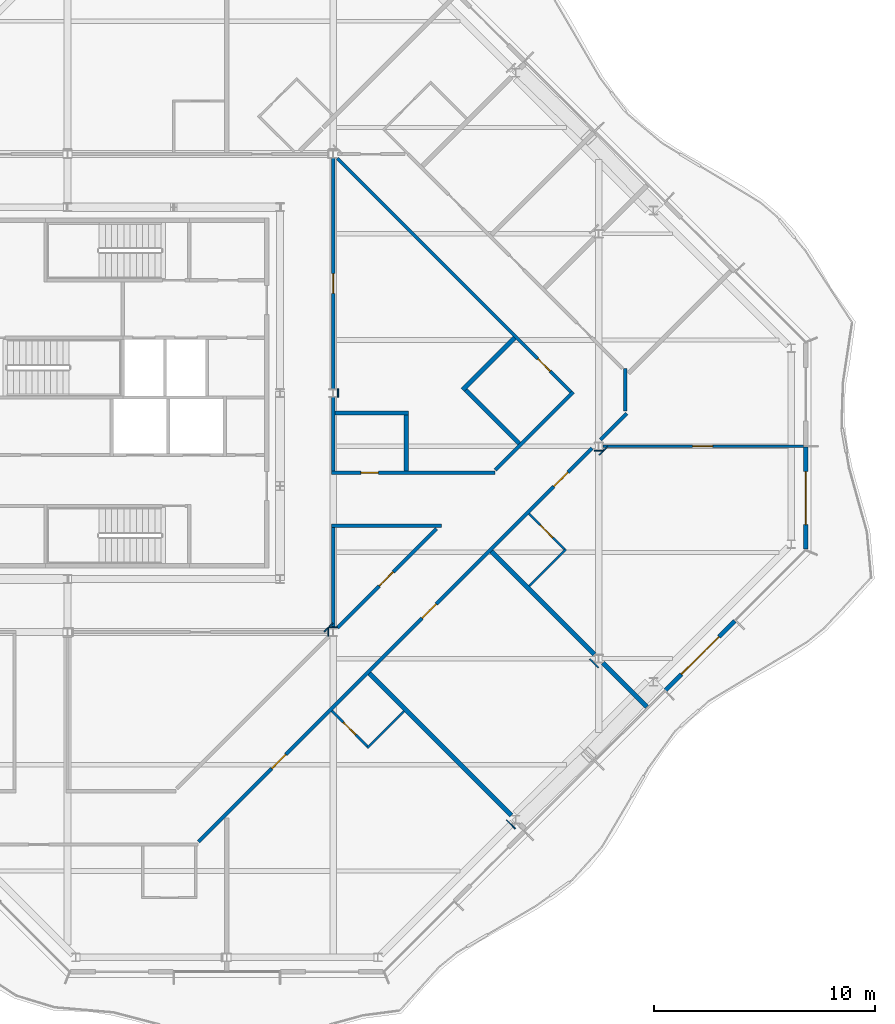
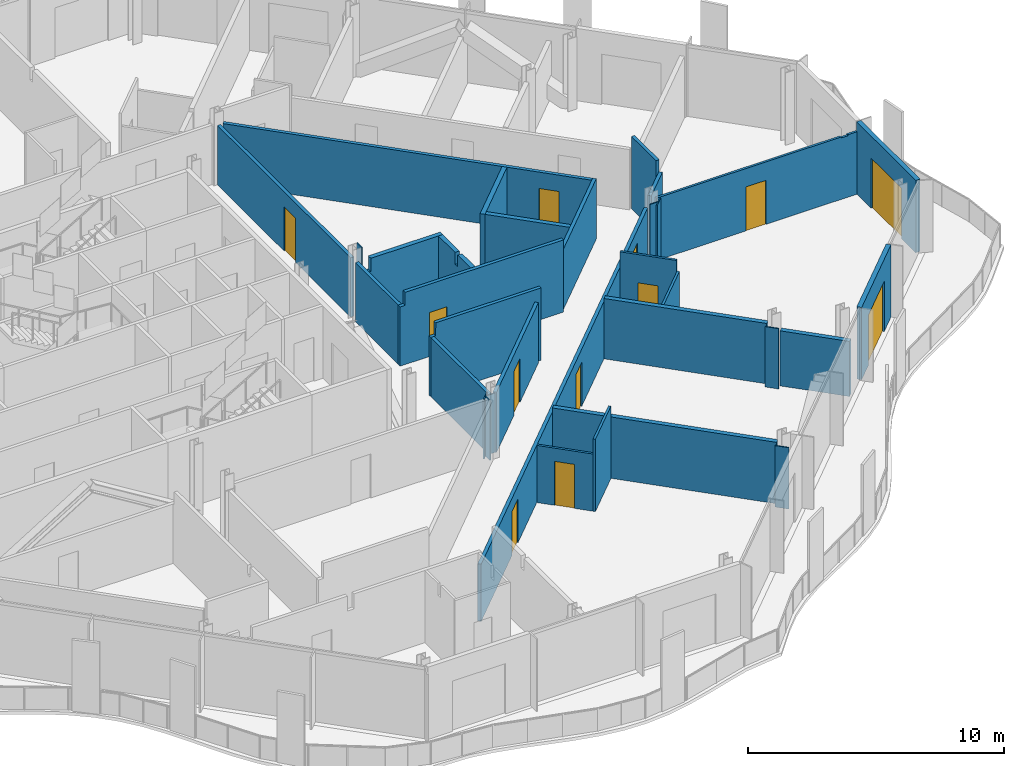
# One storey, part 9 of 17: 33 walls, 12 doors, 12 openings.
"""IFC4 building model written with IfcOpenShell, lengths in metres."""

from ifc_helpers import new_model, si_unit, direction, frame, frame_2d, origin, place, context, subcontext, project, spatial, polyline, rectangle, outline, extrude, material, layer, layer_set, type_object, element, fill, save


model = new_model("IFC4")

# Units and contexts
model_context = context("Model", 3, precision=1e-05, world=origin(), true_north=direction((0.0, 1.0)))
body_context = subcontext(model_context, "Body", "Model", "MODEL_VIEW")
ifc_project = project(units=[si_unit("LENGTHUNIT", "METRE"), si_unit("AREAUNIT", "SQUARE_METRE"), si_unit("VOLUMEUNIT", "CUBIC_METRE"), si_unit("PLANEANGLEUNIT", "RADIAN"), si_unit("MASSUNIT", "GRAM", prefix="KILO")], contexts=[model_context])

# Site, building, storey
site_placement = place(None, origin())
site = spatial("IfcSite", under=ifc_project, at=site_placement, CompositionType="ELEMENT")
building_placement = place(site_placement, origin())
building = spatial("IfcBuilding", under=site, at=building_placement, Name="Cairn Pilgrim Tower", CompositionType="ELEMENT")
storey_placement = place(building_placement, frame((0.0, 0.0, 274.199951171875)))
storey = spatial("IfcBuildingStorey", under=building, at=storey_placement, Name="L70", CompositionType="ELEMENT", Elevation=274.199951171875)

# Wall, opening, door
ifc_material_1 = material(Name="Bronze anodised aluminium insulated sandwich panel with mineral wool fill", Category="aluminium")
ifc_layer_1 = layer(ifc_material_1, 0.199951171875)
ifc_layer_set_1 = layer_set([ifc_layer_1], Name="BRONZE INFILL FRAME WALL 200")
wall_type_1 = type_object("IfcWallType", Name="BRONZE INFILL FRAME WALL 200", PredefinedType="NOTDEFINED", material=ifc_layer_set_1)
wall_1_placement = place(storey_placement, frame((34.219970703125, -11.0263671875, 0.0), z_axis=(0.0, 0.0, 1.0), x_axis=(0.707134329907, 0.707079231393, 0.0)))
wall_1 = element("IfcWall", 1, at=wall_1_placement, inside=storey, type_object=wall_type_1, Name="Bronze infill frame wall IW-SE5", PredefinedType="NOTDEFINED", context=body_context, shape_type="SweptSolid", body=[
    extrude(rectangle(XDim=4.430908203125, YDim=0.199951171875, at=frame_2d((2.21533203125, 0.0))), origin(), (0.0, 0.0, 1.0), 3.449951171875),
])
opening_1_placement = place(wall_1_placement, frame((1.01513671875, 0.0, 0.0)))
opening_1 = element("IfcOpeningElement", 2, at=opening_1_placement, cuts=wall_1, Name="Opening 7003B", PredefinedType="OPENING", context=body_context, shape_type="SweptSolid", body=[
    extrude(rectangle(XDim=2.39990234375, YDim=2.39990234375, at=frame_2d((1.199951171875, 1.199951171875))), frame((0.0, 0.10986328125, 0.0), z_axis=(0.0, -1.0, 0.0), x_axis=(1.0, 0.0, 0.0)), (0.0, 0.0, 1.0), 0.219970703125),
])
ifc_material_2 = material(Name="Bronze anodised aluminium frame with tinted low-E glass", Category="aluminium")
door_type_1 = type_object("IfcDoorType", Name="BALCONY SLIDING DOOR 2400x2400", OperationType="DOUBLE_DOOR_SLIDING", PredefinedType="DOOR", material=ifc_material_2)
door_1_placement = place(opening_1_placement, origin())
door_1 = element("IfcDoor", 3, at=door_1_placement, inside=storey, type_object=door_type_1, Name="Balcony sliding door 7003B", OperationType="SINGLE_SWING_LEFT", OverallHeight=2.39990234375, OverallWidth=2.39990234375, PredefinedType="DOOR", context=body_context, shape_type="SweptSolid", body=[
    extrude(rectangle(XDim=2.39990234375, YDim=2.39990234375, at=frame_2d((1.199951171875, 1.199951171875))), frame((0.0, 0.02490234375, 0.0), z_axis=(0.0, -1.0, 0.0), x_axis=(1.0, 0.0, 0.0)), (0.0, 0.0, 1.0), 0.050048828125),
])
fill(opening_1, door_1)

wall_2_placement = place(storey_placement, frame((40.550048828125, -4.656494140625, 0.0), z_axis=(0.0, 0.0, 1.0), x_axis=(0.0, 1.0, 0.0)))
wall_2 = element("IfcWall", 4, at=wall_2_placement, inside=storey, type_object=wall_type_1, Name="Bronze infill frame wall IW-E1", PredefinedType="NOTDEFINED", context=body_context, shape_type="SweptSolid", body=[
    extrude(rectangle(XDim=4.62646484375, YDim=0.199951171875, at=frame_2d((2.313232421875, 0.0))), origin(), (0.0, 0.0, 1.0), 3.449951171875),
])
opening_2_placement = place(wall_2_placement, frame((1.1083984375, 0.0, 0.0)))
opening_2 = element("IfcOpeningElement", 5, at=opening_2_placement, cuts=wall_2, Name="Opening 7003B2", PredefinedType="OPENING", context=body_context, shape_type="SweptSolid", body=[
    extrude(rectangle(XDim=2.39990234375, YDim=2.39990234375, at=frame_2d((1.199951171875, 1.199951171875))), frame((0.0, 0.10986328125, 0.0), z_axis=(0.0, -1.0, 0.0), x_axis=(1.0, 0.0, 0.0)), (0.0, 0.0, 1.0), 0.219970703125),
])
door_2_placement = place(opening_2_placement, origin())
door_2 = element("IfcDoor", 6, at=door_2_placement, inside=storey, type_object=door_type_1, Name="Balcony sliding door 7003B2", OperationType="SINGLE_SWING_LEFT", OverallHeight=2.39990234375, OverallWidth=2.39990234375, PredefinedType="DOOR", context=body_context, shape_type="SweptSolid", body=[
    extrude(rectangle(XDim=2.39990234375, YDim=2.39990234375, at=frame_2d((1.199951171875, 1.199951171875))), frame((0.0, 0.02490234375, 0.0), z_axis=(0.0, -1.0, 0.0), x_axis=(1.0, 0.0, 0.0)), (0.0, 0.0, 1.0), 0.050048828125),
])
fill(opening_2, door_2)

ifc_material_3 = material(Name="Gypsum partition")
ifc_layer_2 = layer(ifc_material_3, 0.10009765625)
ifc_layer_set_2 = layer_set([ifc_layer_2], Name="PARTITION 100 DRYWALL")
wall_type_2 = type_object("IfcWallType", Name="PARTITION 100 DRYWALL", PredefinedType="PARTITIONING", material=ifc_layer_set_2)
wall_3_placement = place(storey_placement, frame((20.74951171875, -13.567626953125, 0.0), z_axis=(0.0, 0.0, 1.0), x_axis=(-0.707053116953, 0.707160441348, 0.0)))
wall_3 = element("IfcWall", 7, at=wall_3_placement, inside=storey, type_object=wall_type_2, Name="PARTITION W016", PredefinedType="PARTITIONING", context=body_context, shape_type="SweptSolid", body=[
    extrude(rectangle(XDim=2.27490234375, YDim=0.10009765625, at=frame_2d((1.137451171875, 0.0))), origin(), (0.0, 0.0, 1.0), 2.72998046875),
])
opening_3_placement = place(wall_3_placement, frame((0.75, 0.0, 0.0)))
opening_3 = element("IfcOpeningElement", 8, at=opening_3_placement, cuts=wall_3, Name="Opening 7001A", PredefinedType="OPENING", context=body_context, shape_type="SweptSolid", body=[
    extrude(rectangle(XDim=0.800048828125, YDim=2.10009765625, at=frame_2d((0.39990234375, 1.050048828125))), frame((0.0, 0.06005859375, 0.0), z_axis=(0.0, -1.0, 0.0), x_axis=(1.0, 0.0, 0.0)), (0.0, 0.0, 1.0), 0.1201171875),
])
ifc_material_4 = material(Name="Timber door leaf", Category="wood")
door_type_2 = type_object("IfcDoorType", Name="WC DOOR 800x2100", OperationType="NOTDEFINED", PredefinedType="DOOR", material=ifc_material_4)
door_3_placement = place(opening_3_placement, origin())
door_3 = element("IfcDoor", 9, at=door_3_placement, inside=storey, type_object=door_type_2, Name="DOOR 7001A", OperationType="SINGLE_SWING_LEFT", OverallHeight=2.10009765625, OverallWidth=0.800048828125, PredefinedType="DOOR", context=body_context, shape_type="SweptSolid", body=[
    extrude(rectangle(XDim=0.800048828125, YDim=2.10009765625, at=frame_2d((0.39990234375, 1.050048828125))), frame((0.0, 0.02490234375, 0.0), z_axis=(0.0, -1.0, 0.0), x_axis=(1.0, 0.0, 0.0)), (0.0, 0.0, 1.0), 0.050048828125),
])
fill(opening_3, door_3)

# Walls
wall_4_placement = place(storey_placement, frame((20.74951171875, -13.638427734375, 0.0), z_axis=(0.0, 0.0, 1.0), x_axis=(0.707158722772, 0.707054835785, 0.0)))
element("IfcWall", 10, at=wall_4_placement, inside=storey, type_object=wall_type_2, Name="PARTITION W017", PredefinedType="PARTITIONING", context=body_context, shape_type="SweptSolid", body=[
    extrude(rectangle(XDim=2.35009765625, YDim=0.10009765625, at=frame_2d((1.175048828125, 0.0))), origin(), (0.0, 0.0, 1.0), 3.449951171875),
])
wall_5_placement = place(storey_placement, frame((28.064697265625, -6.3232421875, 0.0), z_axis=(0.0, 0.0, 1.0), x_axis=(0.707106781187, 0.707106781187, 0.0)))
element("IfcWall", 11, at=wall_5_placement, inside=storey, type_object=wall_type_2, Name="PARTITION W027", PredefinedType="PARTITIONING", context=body_context, shape_type="SweptSolid", body=[
    extrude(rectangle(XDim=2.349853515625, YDim=0.10009765625, at=frame_2d((1.1748046875, 0.0))), origin(), (0.0, 0.0, 1.0), 2.880126953125),
])

# Wall, opening, door
wall_6_placement = place(storey_placement, frame((29.655517578125, -4.66162109375, 0.0), z_axis=(0.0, 0.0, 1.0), x_axis=(-0.707053116953, 0.707160441348, 0.0)))
wall_6 = element("IfcWall", 12, at=wall_6_placement, inside=storey, type_object=wall_type_2, Name="PARTITION W028", PredefinedType="PARTITIONING", context=body_context, shape_type="SweptSolid", body=[
    extrude(rectangle(XDim=2.27490234375, YDim=0.10009765625, at=frame_2d((1.137451171875, 0.0))), origin(), (0.0, 0.0, 1.0), 3.449951171875),
])
opening_4_placement = place(wall_6_placement, frame((0.75, 0.0, 0.0)))
opening_4 = element("IfcOpeningElement", 13, at=opening_4_placement, cuts=wall_6, Name="Opening 7003A", PredefinedType="OPENING", context=body_context, shape_type="SweptSolid", body=[
    extrude(rectangle(XDim=0.800048828125, YDim=2.10009765625, at=frame_2d((0.39990234375, 1.050048828125))), frame((0.0, 0.06005859375, 0.0), z_axis=(0.0, -1.0, 0.0), x_axis=(1.0, 0.0, 0.0)), (0.0, 0.0, 1.0), 0.1201171875),
])
door_4_placement = place(opening_4_placement, frame((0.800048828125, 0.0, 0.0), z_axis=(0.0, 0.0, 1.0), x_axis=(-1.0, 0.0, 0.0)))
door_4 = element("IfcDoor", 14, at=door_4_placement, inside=storey, type_object=door_type_2, Name="DOOR 7003A", OperationType="SINGLE_SWING_LEFT", OverallHeight=2.10009765625, OverallWidth=0.800048828125, PredefinedType="DOOR", context=body_context, shape_type="SweptSolid", body=[
    extrude(rectangle(XDim=0.800048828125, YDim=2.10009765625, at=frame_2d((0.39990234375, 1.050048828125))), frame((0.0, 0.02490234375, 0.0), z_axis=(0.0, -1.0, 0.0), x_axis=(1.0, 0.0, 0.0)), (0.0, 0.0, 1.0), 0.050048828125),
])
fill(opening_4, door_4)

wall_7_placement = place(storey_placement, frame((31.39697265625, 0.0, 0.0), z_axis=(0.0, 0.0, 1.0), x_axis=(1.0, 0.0, 0.0)))
wall_7 = element("IfcWall", 15, at=wall_7_placement, inside=storey, type_object=wall_type_2, Name="PARTITION W034", PredefinedType="PARTITIONING", context=body_context, shape_type="SweptSolid", body=[
    extrude(outline(polyline([(0.0, 0.0), (9.052978515625, 0.0), (9.052978515625, 2.97998046875), (8.653076171875, 2.97998046875), (8.65087890625, 2.929931640625), (8.35302734375, 2.929931640625), (8.35107421875, 2.97998046875), (0.0, 2.97998046875), (0.0, 0.0)])), frame((0.0, 0.050048828125, 0.0), z_axis=(0.0, -1.0, 0.0), x_axis=(1.0, 0.0, 0.0)), (0.0, 0.0, 1.0), 0.10009765625),
])
opening_5_placement = place(wall_7_placement, frame((4.050048828125, 0.0, 0.0)))
opening_5 = element("IfcOpeningElement", 16, at=opening_5_placement, cuts=wall_7, Name="Opening 7004", PredefinedType="OPENING", context=body_context, shape_type="SweptSolid", body=[
    extrude(rectangle(XDim=0.89990234375, YDim=2.10009765625, at=frame_2d((0.449951171875, 1.050048828125))), frame((0.0, 0.06005859375, 0.0), z_axis=(0.0, -1.0, 0.0), x_axis=(1.0, 0.0, 0.0)), (0.0, 0.0, 1.0), 0.1201171875),
])
door_type_3 = type_object("IfcDoorType", Name="SERVICE DOOR 900x2100", OperationType="NOTDEFINED", PredefinedType="DOOR", material=ifc_material_4)
door_5_placement = place(opening_5_placement, origin())
door_5 = element("IfcDoor", 17, at=door_5_placement, inside=storey, type_object=door_type_3, Name="DOOR 7004", OperationType="SINGLE_SWING_RIGHT", OverallHeight=2.10009765625, OverallWidth=0.89990234375, PredefinedType="DOOR", context=body_context, shape_type="SweptSolid", body=[
    extrude(rectangle(XDim=0.89990234375, YDim=2.10009765625, at=frame_2d((0.449951171875, 1.050048828125))), frame((0.0, 0.02490234375, 0.0), z_axis=(0.0, -1.0, 0.0), x_axis=(1.0, 0.0, 0.0)), (0.0, 0.0, 1.0), 0.050048828125),
])
fill(opening_5, door_5)

# Wall, openings, doors
ifc_layer_3 = layer(ifc_material_3, 0.14990234375)
ifc_layer_set_3 = layer_set([ifc_layer_3], Name="PARTITION 150 DRYWALL EI 60")
wall_type_3 = type_object("IfcWallType", Name="PARTITION 150 DRYWALL EI 60", PredefinedType="PARTITIONING", material=ifc_layer_set_3)
wall_8_placement = place(storey_placement, frame((13.1220703125, -17.8720703125, 0.0), z_axis=(0.0, 0.0, 1.0), x_axis=(0.707101927234, 0.707111635106, 0.0)))
wall_8 = element("IfcWall", 18, at=wall_8_placement, inside=storey, type_object=wall_type_3, Name="PARTITION W007", PredefinedType="PARTITIONING", context=body_context, shape_type="SweptSolid", body=[
    extrude(rectangle(XDim=25.148681640625, YDim=0.14990234375, at=frame_2d((12.57421875, 0.0))), origin(), (0.0, 0.0, 1.0), 2.72998046875),
])
opening_6_placement = place(wall_8_placement, frame((4.672119140625, 0.0, 0.0)))
opening_6 = element("IfcOpeningElement", 19, at=opening_6_placement, cuts=wall_8, Name="Opening 7001", PredefinedType="OPENING", context=body_context, shape_type="SweptSolid", body=[
    extrude(rectangle(XDim=0.89990234375, YDim=2.10009765625, at=frame_2d((0.449951171875, 1.050048828125))), frame((0.0, 0.0849609375, 0.0), z_axis=(0.0, -1.0, 0.0), x_axis=(1.0, 0.0, 0.0)), (0.0, 0.0, 1.0), 0.169921875),
])
opening_7_placement = place(wall_8_placement, frame((14.2841796875, 0.0, 0.0)))
opening_7 = element("IfcOpeningElement", 20, at=opening_7_placement, cuts=wall_8, Name="Opening 7002", PredefinedType="OPENING", context=body_context, shape_type="SweptSolid", body=[
    extrude(rectangle(XDim=0.89990234375, YDim=2.10009765625, at=frame_2d((0.449951171875, 1.050048828125))), frame((0.0, 0.0849609375, 0.0), z_axis=(0.0, -1.0, 0.0), x_axis=(1.0, 0.0, 0.0)), (0.0, 0.0, 1.0), 0.169921875),
])
opening_8_placement = place(wall_8_placement, frame((22.703857421875, 0.0, 0.0)))
opening_8 = element("IfcOpeningElement", 21, at=opening_8_placement, cuts=wall_8, Name="Opening 7003", PredefinedType="OPENING", context=body_context, shape_type="SweptSolid", body=[
    extrude(rectangle(XDim=0.89990234375, YDim=2.10009765625, at=frame_2d((0.449951171875, 1.050048828125))), frame((0.0, 0.0849609375, 0.0), z_axis=(0.0, -1.0, 0.0), x_axis=(1.0, 0.0, 0.0)), (0.0, 0.0, 1.0), 0.169921875),
])
door_type_4 = type_object("IfcDoorType", Name="ROOM DOOR 900x2100 FD30S", OperationType="NOTDEFINED", PredefinedType="DOOR", material=ifc_material_4)
door_6_placement = place(opening_6_placement, frame((0.89990234375, 0.0, 0.0), z_axis=(0.0, 0.0, 1.0), x_axis=(-1.0, 0.0, 0.0)))
door_6 = element("IfcDoor", 22, at=door_6_placement, inside=storey, type_object=door_type_4, Name="DOOR 7001", OperationType="SINGLE_SWING_LEFT", OverallHeight=2.10009765625, OverallWidth=0.89990234375, PredefinedType="DOOR", context=body_context, shape_type="SweptSolid", body=[
    extrude(rectangle(XDim=0.89990234375, YDim=2.10009765625, at=frame_2d((0.449951171875, 1.050048828125))), frame((0.0, 0.02490234375, 0.0), z_axis=(0.0, -1.0, 0.0), x_axis=(1.0, 0.0, 0.0)), (0.0, 0.0, 1.0), 0.050048828125),
])
fill(opening_6, door_6)
door_7_placement = place(opening_8_placement, frame((0.89990234375, 0.0, 0.0), z_axis=(0.0, 0.0, 1.0), x_axis=(-1.0, 0.0, 0.0)))
door_7 = element("IfcDoor", 23, at=door_7_placement, inside=storey, type_object=door_type_4, Name="DOOR 7003", OperationType="SINGLE_SWING_LEFT", OverallHeight=2.10009765625, OverallWidth=0.89990234375, PredefinedType="DOOR", context=body_context, shape_type="SweptSolid", body=[
    extrude(rectangle(XDim=0.89990234375, YDim=2.10009765625, at=frame_2d((0.449951171875, 1.050048828125))), frame((0.0, 0.02490234375, 0.0), z_axis=(0.0, -1.0, 0.0), x_axis=(1.0, 0.0, 0.0)), (0.0, 0.0, 1.0), 0.050048828125),
])
fill(opening_8, door_7)
door_type_5 = type_object("IfcDoorType", Name="SERVICE DOOR 900x2100 FD30S", OperationType="NOTDEFINED", PredefinedType="DOOR", material=ifc_material_4)
door_8_placement = place(opening_7_placement, frame((0.89990234375, 0.0, 0.0), z_axis=(0.0, 0.0, 1.0), x_axis=(-1.0, 0.0, 0.0)))
door_8 = element("IfcDoor", 24, at=door_8_placement, inside=storey, type_object=door_type_5, Name="DOOR 7002", OperationType="SINGLE_SWING_LEFT", OverallHeight=2.10009765625, OverallWidth=0.89990234375, PredefinedType="DOOR", context=body_context, shape_type="SweptSolid", body=[
    extrude(rectangle(XDim=0.89990234375, YDim=2.10009765625, at=frame_2d((0.449951171875, 1.050048828125))), frame((0.0, 0.02490234375, 0.0), z_axis=(0.0, -1.0, 0.0), x_axis=(1.0, 0.0, 0.0)), (0.0, 0.0, 1.0), 0.050048828125),
])
fill(opening_7, door_8)

# Wall
wall_9_placement = place(storey_placement, frame((19.199951171875, -8.21240234375, 0.0), z_axis=(0.0, 0.0, 1.0), x_axis=(0.0, 1.0, 0.0)))
element("IfcWall", 25, at=wall_9_placement, inside=storey, type_object=wall_type_3, Name="PARTITION W025", PredefinedType="PARTITIONING", context=body_context, shape_type="SweptSolid", body=[
    extrude(rectangle(XDim=4.537353515625, YDim=0.14990234375, at=frame_2d((2.2685546875, 0.0))), origin(), (0.0, 0.0, 1.0), 2.830078125),
])

# Wall, opening, door
wall_10_placement = place(storey_placement, frame((19.392333984375, -8.207763671875, 0.0), z_axis=(0.0, 0.0, 1.0), x_axis=(0.707087512134, 0.707126049714, 0.0)))
wall_10 = element("IfcWall", 26, at=wall_10_placement, inside=storey, type_object=wall_type_3, Name="PARTITION W026", PredefinedType="PARTITIONING", context=body_context, shape_type="SweptSolid", body=[
    extrude(rectangle(XDim=6.335205078125, YDim=0.14990234375, at=frame_2d((3.16748046875, 0.0))), origin(), (0.0, 0.0, 1.0), 2.880126953125),
])
opening_9_placement = place(wall_10_placement, frame((2.672119140625, 0.0, 0.0)))
opening_9 = element("IfcOpeningElement", 27, at=opening_9_placement, cuts=wall_10, Name="Opening 7015", PredefinedType="OPENING", context=body_context, shape_type="SweptSolid", body=[
    extrude(rectangle(XDim=0.89990234375, YDim=2.10009765625, at=frame_2d((0.449951171875, 1.050048828125))), frame((0.0, 0.0849609375, 0.0), z_axis=(0.0, -1.0, 0.0), x_axis=(1.0, 0.0, 0.0)), (0.0, 0.0, 1.0), 0.169921875),
])
door_9_placement = place(opening_9_placement, origin())
door_9 = element("IfcDoor", 28, at=door_9_placement, inside=storey, type_object=door_type_5, Name="DOOR 7015", OperationType="SINGLE_SWING_RIGHT", OverallHeight=2.10009765625, OverallWidth=0.89990234375, PredefinedType="DOOR", context=body_context, shape_type="SweptSolid", body=[
    extrude(rectangle(XDim=0.89990234375, YDim=2.10009765625, at=frame_2d((0.449951171875, 1.050048828125))), frame((0.0, 0.02490234375, 0.0), z_axis=(0.0, -1.0, 0.0), x_axis=(1.0, 0.0, 0.0)), (0.0, 0.0, 1.0), 0.050048828125),
])
fill(opening_9, door_9)

# Wall
wall_11_placement = place(storey_placement, frame((19.125, -3.60009765625, 0.0), z_axis=(0.0, 0.0, 1.0), x_axis=(1.0, 0.0, 0.0)))
element("IfcWall", 29, at=wall_11_placement, inside=storey, type_object=wall_type_3, Name="PARTITION W029", PredefinedType="PARTITIONING", context=body_context, shape_type="SweptSolid", body=[
    extrude(outline(polyline([(0.0, 0.0), (4.981201171875, 0.0), (4.981201171875, 3.449951171875), (0.22509765625, 3.449951171875), (0.222900390625, 2.830078125), (0.0, 2.830078125), (0.0, 0.0)])), frame((0.0, 0.074951171875, 0.0), z_axis=(0.0, -1.0, 0.0), x_axis=(1.0, 0.0, 0.0)), (0.0, 0.0, 1.0), 0.14990234375),
])

# Wall, opening, door
wall_12_placement = place(storey_placement, frame((19.125, -1.199951171875, 0.0), z_axis=(0.0, 0.0, 1.0), x_axis=(1.0, 0.0, 0.0)))
wall_12 = element("IfcWall", 30, at=wall_12_placement, inside=storey, type_object=wall_type_3, Name="PARTITION W030", PredefinedType="PARTITIONING", context=body_context, shape_type="SweptSolid", body=[
    extrude(outline(polyline([(0.0, 0.0), (7.381103515625, 0.0), (7.381103515625, 3.449951171875), (0.22509765625, 3.449951171875), (0.222900390625, 2.830078125), (0.0, 2.830078125), (0.0, 0.0)])), frame((0.0, 0.074951171875, 0.0), z_axis=(0.0, -1.0, 0.0), x_axis=(1.0, 0.0, 0.0)), (0.0, 0.0, 1.0), 0.14990234375),
])
opening_10_placement = place(wall_12_placement, frame((1.324951171875, 0.0, 0.0)))
opening_10 = element("IfcOpeningElement", 31, at=opening_10_placement, cuts=wall_12, Name="Opening 7014", PredefinedType="OPENING", context=body_context, shape_type="SweptSolid", body=[
    extrude(rectangle(XDim=0.800048828125, YDim=2.10009765625, at=frame_2d((0.39990234375, 1.050048828125))), frame((0.0, 0.0849609375, 0.0), z_axis=(0.0, -1.0, 0.0), x_axis=(1.0, 0.0, 0.0)), (0.0, 0.0, 1.0), 0.169921875),
])
door_type_6 = type_object("IfcDoorType", Name="WC DOOR 800x2100 FD30S", OperationType="NOTDEFINED", PredefinedType="DOOR", material=ifc_material_4)
door_10_placement = place(opening_10_placement, origin())
door_10 = element("IfcDoor", 32, at=door_10_placement, inside=storey, type_object=door_type_6, Name="DOOR 7014", OperationType="SINGLE_SWING_RIGHT", OverallHeight=2.10009765625, OverallWidth=0.800048828125, PredefinedType="DOOR", context=body_context, shape_type="SweptSolid", body=[
    extrude(rectangle(XDim=0.800048828125, YDim=2.10009765625, at=frame_2d((0.39990234375, 1.050048828125))), frame((0.0, 0.02490234375, 0.0), z_axis=(0.0, -1.0, 0.0), x_axis=(1.0, 0.0, 0.0)), (0.0, 0.0, 1.0), 0.050048828125),
])
fill(opening_10, door_10)

# Walls
wall_13_placement = place(storey_placement, frame((19.199951171875, -1.125, 0.0), z_axis=(0.0, 0.0, 1.0), x_axis=(0.0, 1.0, 0.0)))
element("IfcWall", 33, at=wall_13_placement, inside=storey, type_object=wall_type_3, Name="PARTITION W031", PredefinedType="PARTITIONING", context=body_context, shape_type="SweptSolid", body=[
    extrude(rectangle(XDim=3.33740234375, YDim=0.14990234375, at=frame_2d((1.668701171875, 0.0))), origin(), (0.0, 0.0, 1.0), 2.830078125),
])
wall_14_placement = place(storey_placement, frame((26.528076171875, -1.072021484375, 0.0), z_axis=(0.0, 0.0, 1.0), x_axis=(0.707106781187, 0.707106781187, 0.0)))
element("IfcWall", 34, at=wall_14_placement, inside=storey, type_object=wall_type_3, Name="PARTITION W033", PredefinedType="PARTITIONING", context=body_context, shape_type="SweptSolid", body=[
    extrude(rectangle(XDim=4.98486328125, YDim=0.14990234375, at=frame_2d((2.492431640625, 0.0))), origin(), (0.0, 0.0, 1.0), 2.880126953125),
])
wall_15_placement = place(storey_placement, frame((31.289306640625, 0.295166015625, 0.0), z_axis=(0.0, 0.0, 1.0), x_axis=(0.707106781187, 0.707106781187, 0.0)))
element("IfcWall", 35, at=wall_15_placement, inside=storey, type_object=wall_type_3, Name="PARTITION W036", PredefinedType="PARTITIONING", context=body_context, shape_type="SweptSolid", body=[
    extrude(rectangle(XDim=1.677001953125, YDim=0.14990234375, at=frame_2d((0.83837890625, 0.0))), origin(), (0.0, 0.0, 1.0), 2.929931640625),
])
wall_16_placement = place(storey_placement, frame((32.39990234375, 1.587158203125, 0.0), z_axis=(0.0, 0.0, 1.0), x_axis=(0.0, 1.0, 0.0)))
element("IfcWall", 36, at=wall_16_placement, inside=storey, type_object=wall_type_3, Name="PARTITION W038", PredefinedType="PARTITIONING", context=body_context, shape_type="SweptSolid", body=[
    extrude(rectangle(XDim=1.912841796875, YDim=0.14990234375, at=frame_2d((0.95654296875, 0.0))), origin(), (0.0, 0.0, 1.0), 3.449951171875),
])

# Wall, opening, door
wall_17_placement = place(storey_placement, frame((29.947021484375, 2.452880859375, 0.0), z_axis=(0.0, 0.0, 1.0), x_axis=(-0.707098603185, 0.707114959093, 0.0)))
wall_17 = element("IfcWall", 37, at=wall_17_placement, inside=storey, type_object=wall_type_3, Name="PARTITION W040", PredefinedType="PARTITIONING", context=body_context, shape_type="SweptSolid", body=[
    extrude(rectangle(XDim=14.9267578125, YDim=0.14990234375, at=frame_2d((7.46337890625, 0.0))), origin(), (0.0, 0.0, 1.0), 2.880126953125),
])
opening_11_placement = place(wall_17_placement, frame((1.324951171875, 0.0, 0.0)))
opening_11 = element("IfcOpeningElement", 38, at=opening_11_placement, cuts=wall_17, Name="Opening 7013", PredefinedType="OPENING", context=body_context, shape_type="SweptSolid", body=[
    extrude(rectangle(XDim=0.800048828125, YDim=2.10009765625, at=frame_2d((0.39990234375, 1.050048828125))), frame((0.0, 0.0849609375, 0.0), z_axis=(0.0, -1.0, 0.0), x_axis=(1.0, 0.0, 0.0)), (0.0, 0.0, 1.0), 0.169921875),
])
door_11_placement = place(opening_11_placement, origin())
door_11 = element("IfcDoor", 39, at=door_11_placement, inside=storey, type_object=door_type_6, Name="DOOR 7013", OperationType="SINGLE_SWING_RIGHT", OverallHeight=2.10009765625, OverallWidth=0.800048828125, PredefinedType="DOOR", context=body_context, shape_type="SweptSolid", body=[
    extrude(rectangle(XDim=0.800048828125, YDim=2.10009765625, at=frame_2d((0.39990234375, 1.050048828125))), frame((0.0, 0.02490234375, 0.0), z_axis=(0.0, -1.0, 0.0), x_axis=(1.0, 0.0, 0.0)), (0.0, 0.0, 1.0), 0.050048828125),
])
fill(opening_11, door_11)

wall_18_placement = place(storey_placement, frame((19.199951171875, 2.58740234375, 0.0), z_axis=(0.0, 0.0, 1.0), x_axis=(0.0, 1.0, 0.0)))
wall_18 = element("IfcWall", 40, at=wall_18_placement, inside=storey, type_object=wall_type_3, Name="PARTITION W042", PredefinedType="PARTITIONING", context=body_context, shape_type="SweptSolid", body=[
    extrude(rectangle(XDim=10.425048828125, YDim=0.14990234375, at=frame_2d((5.21240234375, 0.0))), origin(), (0.0, 0.0, 1.0), 2.830078125),
])
opening_12_placement = place(wall_18_placement, frame((4.3125, 0.0, 0.0)))
opening_12 = element("IfcOpeningElement", 41, at=opening_12_placement, cuts=wall_18, Name="Opening 7016", PredefinedType="OPENING", context=body_context, shape_type="SweptSolid", body=[
    extrude(rectangle(XDim=0.89990234375, YDim=2.10009765625, at=frame_2d((0.449951171875, 1.050048828125))), frame((0.0, 0.0849609375, 0.0), z_axis=(0.0, -1.0, 0.0), x_axis=(1.0, 0.0, 0.0)), (0.0, 0.0, 1.0), 0.169921875),
])
door_12_placement = place(opening_12_placement, frame((0.89990234375, 0.0, 0.0), z_axis=(0.0, 0.0, 1.0), x_axis=(-1.0, 0.0, 0.0)))
door_12 = element("IfcDoor", 42, at=door_12_placement, inside=storey, type_object=door_type_5, Name="DOOR 7016", OperationType="SINGLE_SWING_RIGHT", OverallHeight=2.10009765625, OverallWidth=0.89990234375, PredefinedType="DOOR", context=body_context, shape_type="SweptSolid", body=[
    extrude(rectangle(XDim=0.89990234375, YDim=2.10009765625, at=frame_2d((0.449951171875, 1.050048828125))), frame((0.0, 0.02490234375, 0.0), z_axis=(0.0, -1.0, 0.0), x_axis=(1.0, 0.0, 0.0)), (0.0, 0.0, 1.0), 0.050048828125),
])
fill(opening_12, door_12)

# Walls
ifc_layer_4 = layer(ifc_material_3, 0.050048828125)
ifc_layer_set_4 = layer_set([ifc_layer_4], Name="PARTITION 50 DRYWALL")
wall_type_4 = type_object("IfcWallType", Name="PARTITION 50 DRYWALL", PredefinedType="PARTITIONING", material=ifc_layer_set_4)
wall_19_placement = place(storey_placement, frame((31.0029296875, -0.21240234375, 0.0), z_axis=(0.0, 0.0, 1.0), x_axis=(1.0, 0.0, 0.0)))
element("IfcWall", 43, at=wall_19_placement, inside=storey, type_object=wall_type_4, Name="COLUMN CASING WC17", PredefinedType="PARTITIONING", context=body_context, shape_type="SweptSolid", body=[
    extrude(rectangle(XDim=0.39404296875, YDim=0.050048828125, at=frame_2d((0.197021484375, 0.0))), origin(), (0.0, 0.0, 1.0), 2.929931640625),
])
ifc_layer_5 = layer(ifc_material_3, 0.050048828125)
ifc_layer_set_5 = layer_set([ifc_layer_5], Name="PARTITION 50 DRYWALL EI 60")
wall_type_5 = type_object("IfcWallType", Name="PARTITION 50 DRYWALL EI 60", PredefinedType="PARTITIONING", material=ifc_layer_set_5)
wall_20_placement = place(storey_placement, frame((31.2177734375, -0.402099609375, 0.0), z_axis=(0.0, 0.0, 1.0), x_axis=(0.707106781187, 0.707106781187, 0.0)))
element("IfcWall", 44, at=wall_20_placement, inside=storey, type_object=wall_type_5, Name="COLUMN CASING WC02", PredefinedType="PARTITIONING", context=body_context, shape_type="SweptSolid", body=[
    extrude(rectangle(XDim=0.543701171875, YDim=0.050048828125, at=frame_2d((0.27197265625, 0.0))), origin(), (0.0, 0.0, 1.0), 2.929931640625),
])
wall_21_placement = place(storey_placement, frame((27.433837890625, -17.289306640625, 0.0), z_axis=(0.0, 0.0, 1.0), x_axis=(-0.707106781187, 0.707106781187, 0.0)))
element("IfcWall", 45, at=wall_21_placement, inside=storey, type_object=wall_type_5, Name="COLUMN CASING WC03", PredefinedType="PARTITIONING", context=body_context, shape_type="SweptSolid", body=[
    extrude(rectangle(XDim=0.56005859375, YDim=0.050048828125, at=frame_2d((0.280029296875, 0.0))), origin(), (0.0, 0.0, 1.0), 2.929931640625),
])
wall_22_placement = place(storey_placement, frame((18.7978515625, -8.38232421875, 0.0), z_axis=(0.0, 0.0, 1.0), x_axis=(0.707106781187, 0.707106781187, 0.0)))
element("IfcWall", 46, at=wall_22_placement, inside=storey, type_object=wall_type_5, Name="COLUMN CASING WC05", PredefinedType="PARTITIONING", context=body_context, shape_type="SweptSolid", body=[
    extrude(rectangle(XDim=0.543701171875, YDim=0.050048828125, at=frame_2d((0.27197265625, 0.0))), origin(), (0.0, 0.0, 1.0), 2.830078125),
])
wall_23_placement = place(storey_placement, frame((31.182373046875, -10.002197265625, 0.0), z_axis=(0.0, 0.0, 1.0), x_axis=(-0.707106781187, 0.707106781187, 0.0)))
element("IfcWall", 47, at=wall_23_placement, inside=storey, type_object=wall_type_5, Name="COLUMN CASING WC06", PredefinedType="PARTITIONING", context=body_context, shape_type="SweptSolid", body=[
    extrude(rectangle(XDim=0.543701171875, YDim=0.050048828125, at=frame_2d((0.27197265625, 0.0))), origin(), (0.0, 0.0, 1.0), 2.880126953125),
])
wall_24_placement = place(storey_placement, frame((19.0029296875, -8.1875, 0.0), z_axis=(0.0, 0.0, 1.0), x_axis=(1.0, 0.0, 0.0)))
element("IfcWall", 48, at=wall_24_placement, inside=storey, type_object=wall_type_5, Name="COLUMN CASING WC13", PredefinedType="PARTITIONING", context=body_context, shape_type="SweptSolid", body=[
    extrude(rectangle(XDim=0.39404296875, YDim=0.050048828125, at=frame_2d((0.197021484375, 0.0))), origin(), (0.0, 0.0, 1.0), 2.830078125),
])
wall_25_placement = place(storey_placement, frame((18.97802734375, -8.58740234375, 0.0), z_axis=(0.0, 0.0, 1.0), x_axis=(0.0, 1.0, 0.0)))
element("IfcWall", 49, at=wall_25_placement, inside=storey, type_object=wall_type_5, Name="COLUMN CASING WC14", PredefinedType="PARTITIONING", context=body_context, shape_type="SweptSolid", body=[
    extrude(rectangle(XDim=0.375, YDim=0.050048828125, at=frame_2d((0.1875, 0.0))), origin(), (0.0, 0.0, 1.0), 2.830078125),
])
wall_26_placement = place(storey_placement, frame((19.422119140625, 2.21240234375, 0.0), z_axis=(0.0, 0.0, 1.0), x_axis=(0.0, 1.0, 0.0)))
element("IfcWall", 50, at=wall_26_placement, inside=storey, type_object=wall_type_5, Name="COLUMN CASING WC15", PredefinedType="PARTITIONING", context=body_context, shape_type="SweptSolid", body=[
    extrude(rectangle(XDim=0.375, YDim=0.050048828125, at=frame_2d((0.1875, 0.0))), origin(), (0.0, 0.0, 1.0), 3.449951171875),
])
ifc_layer_6 = layer(ifc_material_3, 0.199951171875)
ifc_layer_set_6 = layer_set([ifc_layer_6], Name="SHAFT WALL 200 GYPSUM EI 60")
wall_type_6 = type_object("IfcWallType", Name="SHAFT WALL 200 GYPSUM EI 60", PredefinedType="PARTITIONING", material=ifc_layer_set_6)
wall_27_placement = place(storey_placement, frame((27.253662109375, -16.677490234375, 0.0), z_axis=(0.0, 0.0, 1.0), x_axis=(-0.707120235152, 0.707093326965, 0.0)))
element("IfcWall", 51, at=wall_27_placement, inside=storey, type_object=wall_type_6, Name="PARTITION W009", PredefinedType="PARTITIONING", context=body_context, shape_type="SweptSolid", body=[
    extrude(rectangle(XDim=9.072998046875, YDim=0.199951171875, at=frame_2d((4.53662109375, 0.0))), origin(), (0.0, 0.0, 1.0), 2.929931640625),
])
wall_28_placement = place(storey_placement, frame((33.380859375, -11.78076171875, 0.0), z_axis=(0.0, 0.0, 1.0), x_axis=(-0.707106781187, 0.707106781187, 0.0)))
element("IfcWall", 52, at=wall_28_placement, inside=storey, type_object=wall_type_6, Name="PARTITION W018", PredefinedType="PARTITIONING", context=body_context, shape_type="SweptSolid", body=[
    extrude(rectangle(XDim=2.812255859375, YDim=0.199951171875, at=frame_2d((1.40625, 0.0))), origin(), (0.0, 0.0, 1.0), 2.630126953125),
])
wall_29_placement = place(storey_placement, frame((31.0078125, -9.40771484375, 0.0), z_axis=(0.0, 0.0, 1.0), x_axis=(-0.707106781187, 0.707106781187, 0.0)))
element("IfcWall", 53, at=wall_29_placement, inside=storey, type_object=wall_type_6, Name="PARTITION W021", PredefinedType="PARTITIONING", context=body_context, shape_type="SweptSolid", body=[
    extrude(rectangle(XDim=6.5869140625, YDim=0.199951171875, at=frame_2d((3.29345703125, 0.0))), origin(), (0.0, 0.0, 1.0), 2.880126953125),
])
wall_30_placement = place(storey_placement, frame((22.5, -1.125, 0.0), z_axis=(0.0, 0.0, 1.0), x_axis=(0.0, 1.0, 0.0)))
element("IfcWall", 54, at=wall_30_placement, inside=storey, type_object=wall_type_6, Name="PARTITION W032", PredefinedType="PARTITIONING", context=body_context, shape_type="SweptSolid", body=[
    extrude(outline(polyline([(0.0, 0.0), (2.52490234375, 0.0), (2.52490234375, 3.449951171875), (1.22998046875, 3.449951171875), (1.22802734375, 2.880126953125), (1.02001953125, 2.880126953125), (1.01806640625, 3.449951171875), (0.0, 3.449951171875), (0.0, 0.0)])), frame((0.0, 0.10009765625, 0.0), z_axis=(0.0, -1.0, 0.0), x_axis=(1.0, 0.0, 0.0)), (0.0, 0.0, 1.0), 0.199951171875),
])
wall_31_placement = place(storey_placement, frame((27.613037109375, 0.119140625, 0.0), z_axis=(0.0, 0.0, 1.0), x_axis=(-0.706999846325, 0.707213699878, 0.0)))
element("IfcWall", 55, at=wall_31_placement, inside=storey, type_object=wall_type_6, Name="PARTITION W035", PredefinedType="PARTITIONING", context=body_context, shape_type="SweptSolid", body=[
    extrude(rectangle(XDim=3.4248046875, YDim=0.199951171875, at=frame_2d((1.71240234375, 0.0))), origin(), (0.0, 0.0, 1.0), 2.880126953125),
])
wall_32_placement = place(storey_placement, frame((19.27490234375, 1.5, 0.0), z_axis=(0.0, 0.0, 1.0), x_axis=(1.0, 0.0, 0.0)))
element("IfcWall", 56, at=wall_32_placement, inside=storey, type_object=wall_type_6, Name="PARTITION W037", PredefinedType="PARTITIONING", context=body_context, shape_type="SweptSolid", body=[
    extrude(outline(polyline([(0.0, 0.0), (3.3251953125, 0.0), (3.324951171875, 3.449951171875), (0.074951171875, 3.449951171875), (0.072998046875, 2.830078125), (0.0, 2.830078125), (0.0, 0.0)])), frame((0.0, 0.10009765625, 0.0), z_axis=(0.0, -1.0, 0.0), x_axis=(1.0, 0.0, 0.0)), (0.0, 0.0, 1.0), 0.199951171875),
])
wall_33_placement = place(storey_placement, frame((25.05029296875, 2.541259765625, 0.0), z_axis=(0.0, 0.0, 1.0), x_axis=(0.706959910949, 0.707253620925, 0.0)))
element("IfcWall", 57, at=wall_33_placement, inside=storey, type_object=wall_type_6, Name="PARTITION W039", PredefinedType="PARTITIONING", context=body_context, shape_type="SweptSolid", body=[
    extrude(rectangle(XDim=3.324951171875, YDim=0.199951171875, at=frame_2d((1.66259765625, 0.0))), origin(), (0.0, 0.0, 1.0), 2.880126953125),
])

save(model, "model.ifc")
